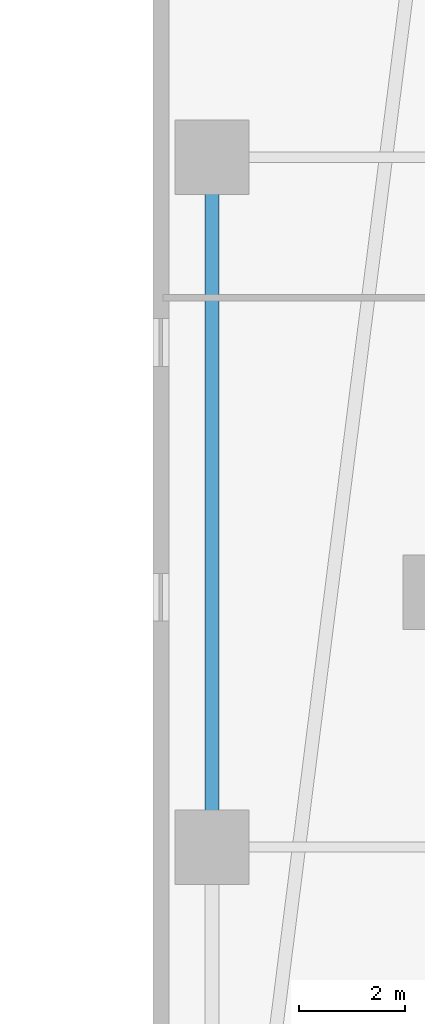
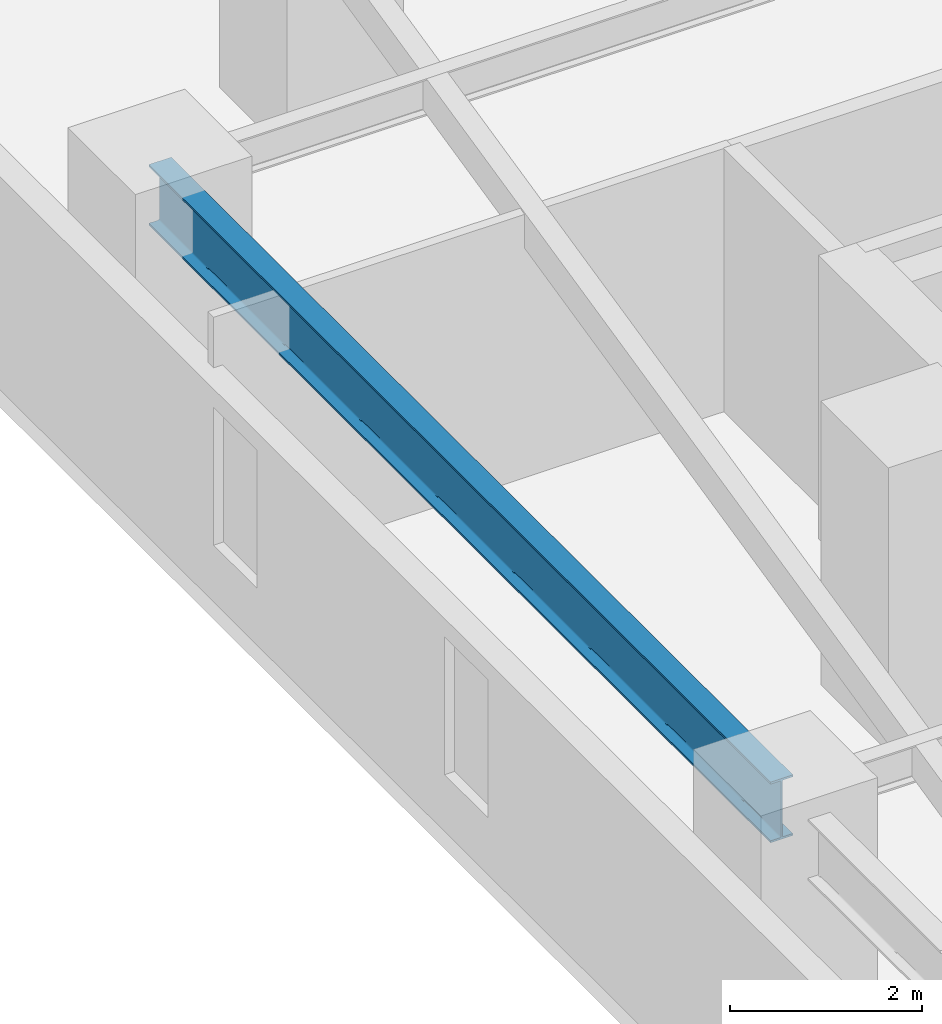
# One storey, part 11 of 35: 1 beam.
"""IFC4 building model written with IfcOpenShell, lengths in metres."""

from ifc_helpers import new_model, si_unit, direction, frame, origin, origin_2d, place, context, subcontext, project, spatial, i_section, extrude, material, material_profile, profile_set, type_object, element, save


model = new_model("IFC4")

# Units and contexts
model_context = context("Model", 3, precision=1e-05, world=origin(), true_north=direction((0.0, 1.0)))
body_context = subcontext(model_context, "Body", "Model", "MODEL_VIEW")
ifc_project = project(units=[si_unit("LENGTHUNIT", "METRE"), si_unit("AREAUNIT", "SQUARE_METRE"), si_unit("VOLUMEUNIT", "CUBIC_METRE"), si_unit("PLANEANGLEUNIT", "RADIAN"), si_unit("MASSUNIT", "GRAM", prefix="KILO")], contexts=[model_context])

# Site, building, storey
site_placement = place(None, origin())
site = spatial("IfcSite", under=ifc_project, at=site_placement, CompositionType="ELEMENT")
building_placement = place(site_placement, origin())
building = spatial("IfcBuilding", under=site, at=building_placement, Name="Thornwick Lancets Civic Towers", CompositionType="ELEMENT")
storey_placement = place(building_placement, frame((0.0, 0.0, 64.5)))
storey = spatial("IfcBuildingStorey", under=building, at=storey_placement, Name="L16", CompositionType="ELEMENT", Elevation=64.5)

# Beam
ifc_material = material(Name="Steel S355JR", Category="steel")
ifc_material_profile = material_profile(ifc_material, i_section(OverallWidth=0.26806640625, OverallDepth=0.769775390625, WebThickness=0.015625, FlangeThickness=0.025390625, FilletRadius=0.0166015625, at=origin_2d()), Name="UKB 762x267x197")
ifc_profile_set = profile_set([ifc_material_profile], Name="Steel S355JR")
beam_type = type_object("IfcBeamType", Name="BM_GIRD_762_197", PredefinedType="BEAM", material=ifc_profile_set)
beam_placement = place(storey_placement, frame((71.199951171875, 27.080078125, 2.97509765625), z_axis=(0.0, 1.0, 0.0), x_axis=(-1.0, 0.0, 0.0)))
element("IfcBeam", 1, at=beam_placement, inside=storey, type_object=beam_type, Name="BM-SPINE-L16-B-7-8", PredefinedType="BEAM", context=body_context, shape_type="SweptSolid", body=[
    extrude(i_section(OverallWidth=0.26806640625, OverallDepth=0.769775390625, WebThickness=0.015625, FlangeThickness=0.025390625, FilletRadius=0.0166015625, at=origin_2d()), origin(), (0.0, 0.0, 1.0), 12.919921875),
])

save(model, "model.ifc")
